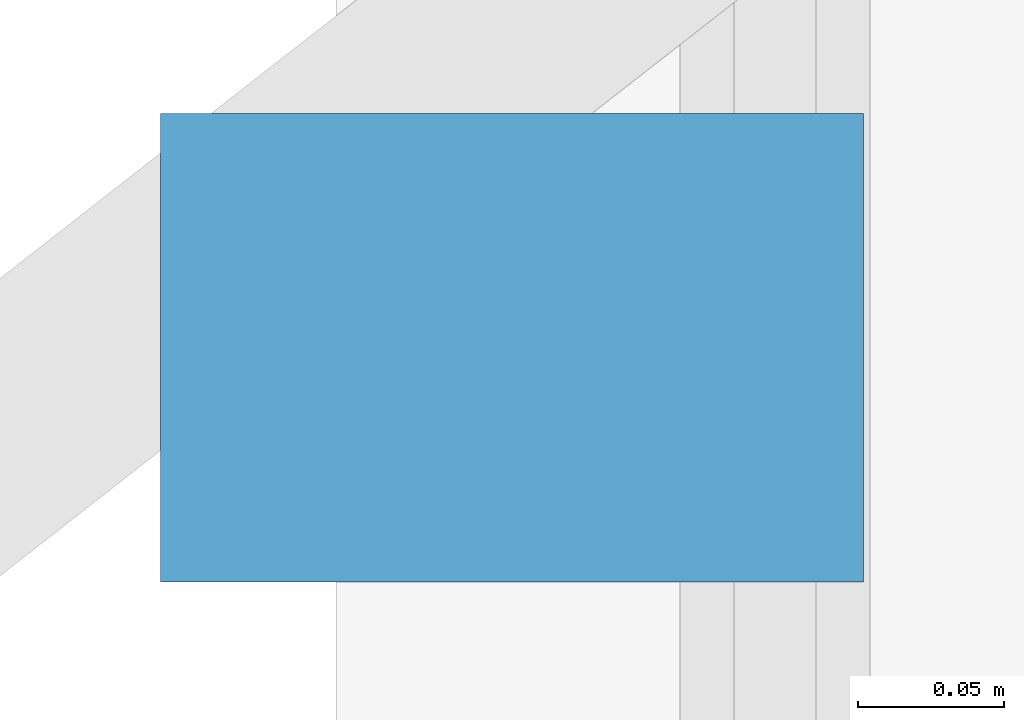
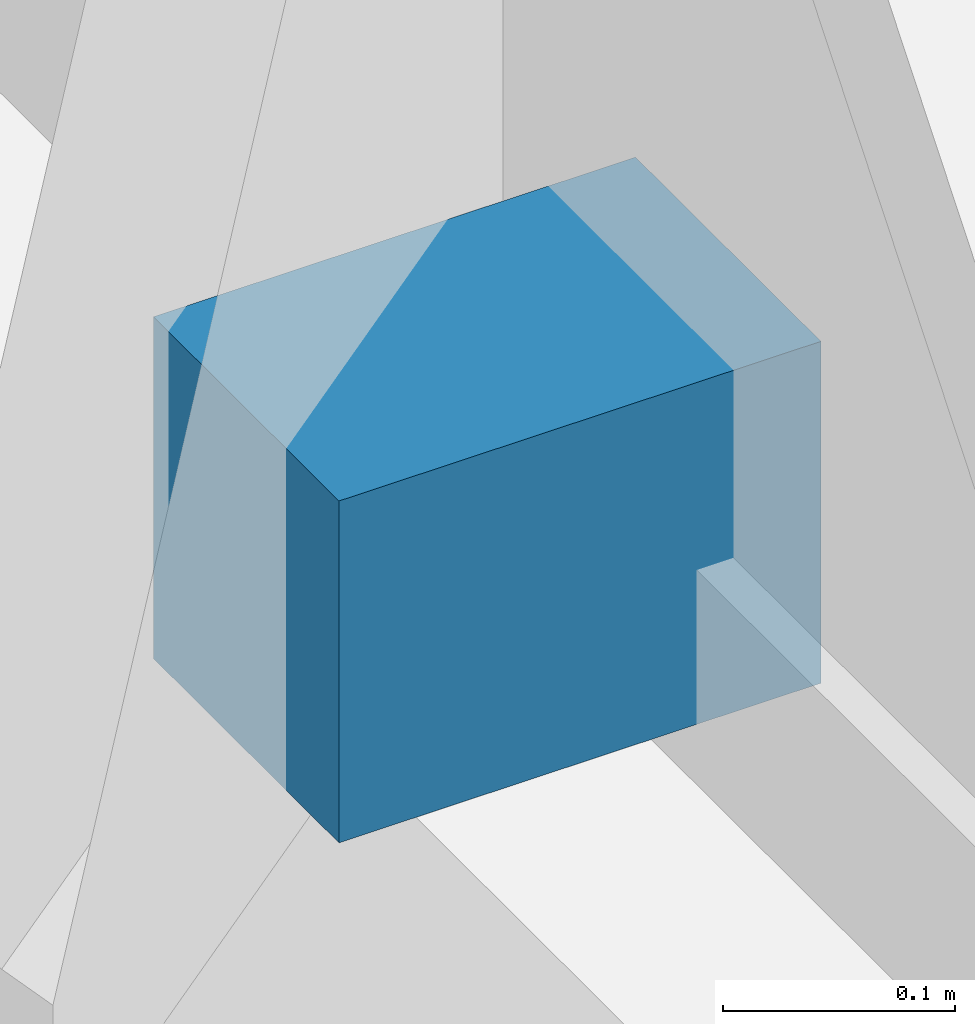
# One storey, part 26 of 28: 1 discrete accessory.
"""IFC4 building model written with IfcOpenShell, lengths in metres."""

from ifc_helpers import new_model, si_unit, direction, frame, origin, origin_2d, place, context, subcontext, project, spatial, rectangle, extrude, material, type_object, element, save


model = new_model("IFC4")

# Units and contexts
model_context = context("Model", 3, precision=1e-05, world=origin(), true_north=direction((0.0, 1.0)))
body_context = subcontext(model_context, "Body", "Model", "MODEL_VIEW")
ifc_project = project(units=[si_unit("LENGTHUNIT", "METRE"), si_unit("AREAUNIT", "SQUARE_METRE"), si_unit("VOLUMEUNIT", "CUBIC_METRE"), si_unit("PLANEANGLEUNIT", "RADIAN"), si_unit("MASSUNIT", "GRAM", prefix="KILO")], contexts=[model_context])

# Site, building, storey
site_placement = place(None, origin())
site = spatial("IfcSite", under=ifc_project, at=site_placement, CompositionType="ELEMENT")
building_placement = place(site_placement, origin())
building = spatial("IfcBuilding", under=site, at=building_placement, Name="Calvorn Quay Hotel", CompositionType="ELEMENT")
storey_placement = place(building_placement, frame((0.0, 0.0, 42.199951171875)))
storey = spatial("IfcBuildingStorey", under=building, at=storey_placement, Name="L09", CompositionType="ELEMENT", Elevation=42.199951171875)

# Discrete accessory
ifc_material = material(Name="Steel Q355B", Category="steel")
discrete_accessory_type = type_object("IfcDiscreteAccessoryType", Name="ACC-FIN-BRACKET", PredefinedType="BRACKET", material=ifc_material)
discrete_accessory_placement = place(storey_placement, frame((0.06005859375, 37.25, 0.0302734375), z_axis=(0.0, 0.0, 1.0), x_axis=(1.0, 0.0, 0.0)))
element("IfcDiscreteAccessory", 1, at=discrete_accessory_placement, inside=storey, type_object=discrete_accessory_type, Name="Fin Anchor Bracket L09-W03", PredefinedType="BRACKET", context=body_context, shape_type="SweptSolid", body=[
    extrude(rectangle(XDim=0.239990234375, YDim=0.159912109375, at=origin_2d()), origin(), (0.0, 0.0, 1.0), 0.179931640625),
])

save(model, "model.ifc")
